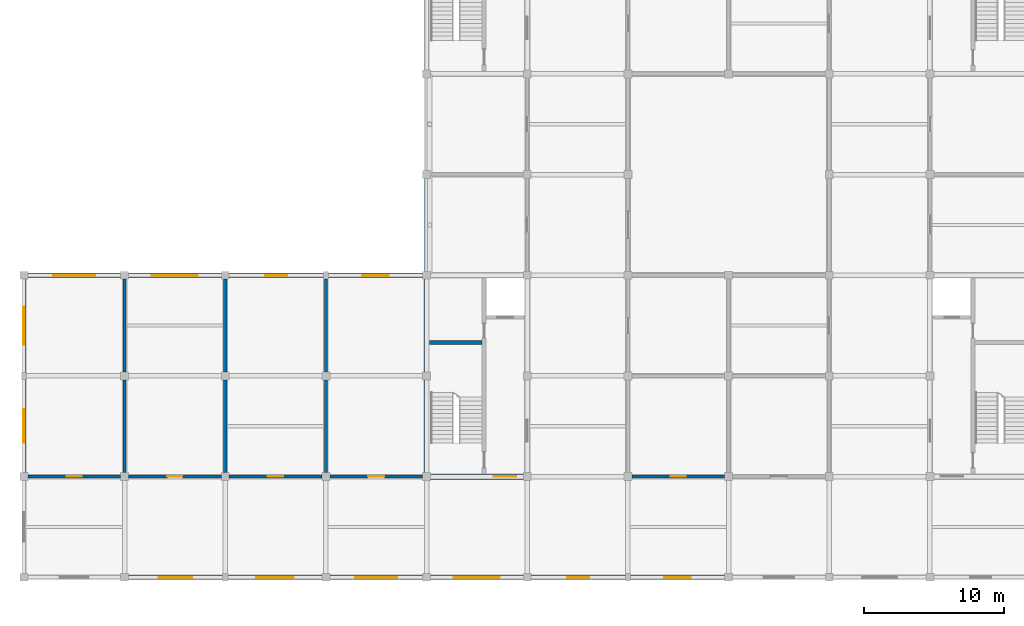
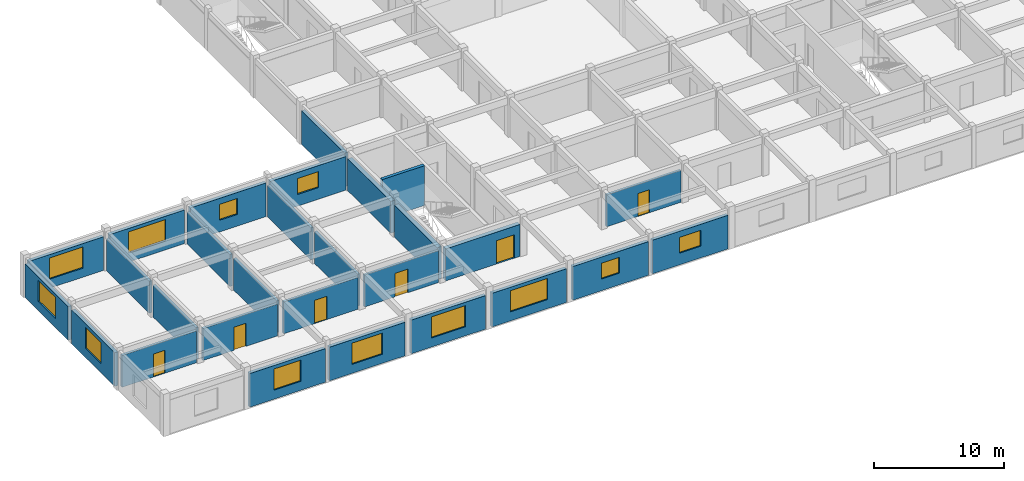
# One storey, part 5 of 10: 28 walls, 12 windows, 6 doors, 18 openings.
"""IFC4 building model written with IfcOpenShell, lengths in metres."""

from ifc_helpers import new_model, si_unit, direction, frame, frame_2d, origin, place, context, subcontext, project, spatial, rectangle, extrude, material, layer, layer_set, type_object, element, fill, save


model = new_model("IFC4")

# Units and contexts
model_context = context("Model", 3, precision=1e-05, world=origin(), true_north=direction((0.0, 1.0)))
body_context = subcontext(model_context, "Body", "Model", "MODEL_VIEW")
ifc_project = project(units=[si_unit("LENGTHUNIT", "METRE"), si_unit("AREAUNIT", "SQUARE_METRE"), si_unit("VOLUMEUNIT", "CUBIC_METRE"), si_unit("PLANEANGLEUNIT", "RADIAN"), si_unit("MASSUNIT", "GRAM", prefix="KILO")], contexts=[model_context])

# Site, building, storey
site_placement = place(None, origin())
site = spatial("IfcSite", under=ifc_project, at=site_placement, CompositionType="ELEMENT")
building_placement = place(site_placement, origin())
building = spatial("IfcBuilding", under=site, at=building_placement, Name="Cendaluz Park School", CompositionType="ELEMENT")
storey_placement = place(building_placement, frame((0.0, 0.0, 38.800048828125)))
storey = spatial("IfcBuildingStorey", under=building, at=storey_placement, Name="L09", CompositionType="ELEMENT", Elevation=38.800048828125)

# Wall, opening, door
ifc_material_1 = material(Name="Gypsum Plasterboard on Cold-Formed Stud", Category="gypsum")
ifc_layer_1 = layer(ifc_material_1, 0.199951171875)
ifc_layer_set_1 = layer_set([ifc_layer_1], Name="Gypsum Plasterboard on Cold-Formed Stud")
wall_type_1 = type_object("IfcWallType", Name="W-AC20", PredefinedType="PARTITIONING", material=ifc_layer_set_1)
wall_1_placement = place(storey_placement, frame((57.8798828125, 14.39990234375, 0.0), z_axis=(0.0, 0.0, 1.0), x_axis=(1.0, 0.0, 0.0)))
wall_1 = element("IfcWall", 1, at=wall_1_placement, inside=storey, type_object=wall_type_1, Name="WL-FJ-BN9", PredefinedType="PARTITIONING", context=body_context, shape_type="SweptSolid", body=[
    extrude(rectangle(XDim=6.64013671875, YDim=0.199951171875, at=frame_2d((3.320068359375, 0.0))), origin(), (0.0, 0.0, 1.0), 3.010009765625),
])
opening_1_placement = place(wall_1_placement, frame((2.739990234375, 0.0, 0.0)))
opening_1 = element("IfcOpeningElement", 2, at=opening_1_placement, cuts=wall_1, Name="Opening DCL-07", PredefinedType="OPENING", context=body_context, shape_type="SweptSolid", body=[
    extrude(rectangle(XDim=1.159912109375, YDim=2.219970703125, at=frame_2d((0.580078125, 1.10986328125))), frame((0.0, 0.112060546875, 0.0), z_axis=(0.0, -1.0, 0.0), x_axis=(1.0, 0.0, 0.0)), (0.0, 0.0, 1.0), 0.223876953125),
])
ifc_material_2 = material(Name="Solid Core Hardwood", Category="wood")
door_type_1 = type_object("IfcDoorType", Name="DCL-07", OperationType="NOTDEFINED", PredefinedType="DOOR", material=ifc_material_2)
door_1_placement = place(opening_1_placement, origin())
door_1 = element("IfcDoor", 3, at=door_1_placement, inside=storey, type_object=door_type_1, Name="D-L09-025", OperationType="SINGLE_SWING_LEFT", OverallHeight=2.219970703125, OverallWidth=1.159912109375, PredefinedType="DOOR", context=body_context, shape_type="SweptSolid", body=[
    extrude(rectangle(XDim=1.159912109375, YDim=2.219970703125, at=frame_2d((0.580078125, 1.10986328125))), frame((0.0, 0.02490234375, 0.0), z_axis=(0.0, -1.0, 0.0), x_axis=(1.0, 0.0, 0.0)), (0.0, 0.0, 1.0), 0.050048828125),
])
fill(opening_1, door_1)

wall_2_placement = place(storey_placement, frame((79.47998046875, 14.39990234375, 0.0), z_axis=(0.0, 0.0, 1.0), x_axis=(1.0, 0.0, 0.0)))
wall_2 = element("IfcWall", 4, at=wall_2_placement, inside=storey, type_object=wall_type_1, Name="WL-FJ-BP1", PredefinedType="PARTITIONING", context=body_context, shape_type="SweptSolid", body=[
    extrude(rectangle(XDim=6.64013671875, YDim=0.199951171875, at=frame_2d((3.320068359375, 0.0))), origin(), (0.0, 0.0, 1.0), 3.010009765625),
])
opening_2_placement = place(wall_2_placement, frame((2.7900390625, 0.0, 0.0)))
opening_2 = element("IfcOpeningElement", 5, at=opening_2_placement, cuts=wall_2, Name="Opening DCL-04", PredefinedType="OPENING", context=body_context, shape_type="SweptSolid", body=[
    extrude(rectangle(XDim=1.06005859375, YDim=2.159912109375, at=frame_2d((0.530029296875, 1.080078125))), frame((0.0, 0.112060546875, 0.0), z_axis=(0.0, -1.0, 0.0), x_axis=(1.0, 0.0, 0.0)), (0.0, 0.0, 1.0), 0.223876953125),
])
door_type_2 = type_object("IfcDoorType", Name="DCL-04", OperationType="NOTDEFINED", PredefinedType="DOOR", material=ifc_material_2)
door_2_placement = place(opening_2_placement, origin())
door_2 = element("IfcDoor", 6, at=door_2_placement, inside=storey, type_object=door_type_2, Name="D-L09-032", OperationType="SINGLE_SWING_RIGHT", OverallHeight=2.159912109375, OverallWidth=1.06005859375, PredefinedType="DOOR", context=body_context, shape_type="SweptSolid", body=[
    extrude(rectangle(XDim=1.06005859375, YDim=2.159912109375, at=frame_2d((0.530029296875, 1.080078125))), frame((0.0, 0.02490234375, 0.0), z_axis=(0.0, -1.0, 0.0), x_axis=(1.0, 0.0, 0.0)), (0.0, 0.0, 1.0), 0.050048828125),
])
fill(opening_2, door_2)

# Wall, opening, window
ifc_material_3 = material(Name="Cross-laminated timber CLT C24", Category="wood")
ifc_layer_2 = layer(ifc_material_3, 0.300048828125)
ifc_layer_set_2 = layer_set([ifc_layer_2], Name="Cross-laminated timber CLT C24")
wall_type_2 = type_object("IfcWallType", Name="W-EX30", PredefinedType="SOLIDWALL", material=ifc_layer_set_2)
wall_3_placement = place(storey_placement, frame((36.0, 14.679931640625, 0.0), z_axis=(0.0, 0.0, 1.0), x_axis=(0.0, 1.0, 0.0)))
wall_3 = element("IfcWall", 7, at=wall_3_placement, inside=storey, type_object=wall_type_2, Name="WL-FJ-AA2", PredefinedType="SOLIDWALL", context=body_context, shape_type="SweptSolid", body=[
    extrude(rectangle(XDim=6.66015625, YDim=0.300048828125, at=frame_2d((3.330078125, 0.0))), origin(), (0.0, 0.0, 1.0), 3.169921875),
])
opening_3_placement = place(wall_3_placement, frame((2.1298828125, 0.0, 0.85009765625)))
opening_3 = element("IfcOpeningElement", 8, at=opening_3_placement, cuts=wall_3, Name="Opening WN-12", PredefinedType="OPENING", context=body_context, shape_type="SweptSolid", body=[
    extrude(rectangle(XDim=2.39990234375, YDim=2.0, at=frame_2d((1.199951171875, 1.0))), frame((0.0, 0.162109375, 0.0), z_axis=(0.0, -1.0, 0.0), x_axis=(1.0, 0.0, 0.0)), (0.0, 0.0, 1.0), 0.323974609375),
])
ifc_material_4 = material(Name="Tempered Low-E Double Glazing", Category="glass")
window_type_1 = type_object("IfcWindowType", Name="WN-12", PartitioningType="SINGLE_PANEL", PredefinedType="WINDOW", material=ifc_material_4)
window_1_placement = place(opening_3_placement, origin())
window_1 = element("IfcWindow", 9, at=window_1_placement, inside=storey, type_object=window_type_1, Name="WN-L09-003", OverallHeight=2.0, OverallWidth=2.39990234375, PartitioningType="SINGLE_PANEL", PredefinedType="WINDOW", context=body_context, shape_type="SweptSolid", body=[
    extrude(rectangle(XDim=2.39990234375, YDim=2.0, at=frame_2d((1.199951171875, 1.0))), frame((0.0, 0.030029296875, 0.0), z_axis=(0.0, -1.0, 0.0), x_axis=(1.0, 0.0, 0.0)), (0.0, 0.0, 1.0), 0.06005859375),
])
fill(opening_3, window_1)

wall_4_placement = place(storey_placement, frame((36.280029296875, 28.800048828125, 0.0), z_axis=(0.0, 0.0, 1.0), x_axis=(1.0, 0.0, 0.0)))
wall_4 = element("IfcWall", 10, at=wall_4_placement, inside=storey, type_object=wall_type_2, Name="WL-FJ-AA3", PredefinedType="SOLIDWALL", context=body_context, shape_type="SweptSolid", body=[
    extrude(rectangle(XDim=6.639892578125, YDim=0.300048828125, at=frame_2d((3.31982421875, 0.0))), origin(), (0.0, 0.0, 1.0), 3.169921875),
])
opening_4_placement = place(wall_4_placement, frame((1.820068359375, 0.0, 0.85009765625)))
opening_4 = element("IfcOpeningElement", 11, at=opening_4_placement, cuts=wall_4, Name="Opening WN-14", PredefinedType="OPENING", context=body_context, shape_type="SweptSolid", body=[
    extrude(rectangle(XDim=3.0, YDim=2.0, at=frame_2d((1.5, 1.0))), frame((0.0, 0.162109375, 0.0), z_axis=(0.0, -1.0, 0.0), x_axis=(1.0, 0.0, 0.0)), (0.0, 0.0, 1.0), 0.323974609375),
])
window_type_2 = type_object("IfcWindowType", Name="WN-14", PartitioningType="SINGLE_PANEL", PredefinedType="WINDOW", material=ifc_material_4)
window_2_placement = place(opening_4_placement, origin())
window_2 = element("IfcWindow", 12, at=window_2_placement, inside=storey, type_object=window_type_2, Name="WN-L09-004", OverallHeight=2.0, OverallWidth=3.0, PartitioningType="SINGLE_PANEL", PredefinedType="WINDOW", context=body_context, shape_type="SweptSolid", body=[
    extrude(rectangle(XDim=3.0, YDim=2.0, at=frame_2d((1.5, 1.0))), frame((0.0, 0.030029296875, 0.0), z_axis=(0.0, -1.0, 0.0), x_axis=(1.0, 0.0, 0.0)), (0.0, 0.0, 1.0), 0.06005859375),
])
fill(opening_4, window_2)

wall_5_placement = place(storey_placement, frame((36.0, 21.860107421875, 0.0), z_axis=(0.0, 0.0, 1.0), x_axis=(0.0, 1.0, 0.0)))
wall_5 = element("IfcWall", 13, at=wall_5_placement, inside=storey, type_object=wall_type_2, Name="WL-FJ-AA4", PredefinedType="SOLIDWALL", context=body_context, shape_type="SweptSolid", body=[
    extrude(rectangle(XDim=6.659912109375, YDim=0.300048828125, at=frame_2d((3.330078125, 0.0))), origin(), (0.0, 0.0, 1.0), 3.169921875),
])
opening_5_placement = place(wall_5_placement, frame((1.97998046875, 0.0, 0.85009765625)))
opening_5 = element("IfcOpeningElement", 14, at=opening_5_placement, cuts=wall_5, Name="Opening WN-13", PredefinedType="OPENING", context=body_context, shape_type="SweptSolid", body=[
    extrude(rectangle(XDim=2.699951171875, YDim=2.0, at=frame_2d((1.35009765625, 1.0))), frame((0.0, 0.162109375, 0.0), z_axis=(0.0, -1.0, 0.0), x_axis=(1.0, 0.0, 0.0)), (0.0, 0.0, 1.0), 0.323974609375),
])
window_type_3 = type_object("IfcWindowType", Name="WN-13", PartitioningType="SINGLE_PANEL", PredefinedType="WINDOW", material=ifc_material_4)
window_3_placement = place(opening_5_placement, origin())
window_3 = element("IfcWindow", 15, at=window_3_placement, inside=storey, type_object=window_type_3, Name="WN-L09-005", OverallHeight=2.0, OverallWidth=2.699951171875, PartitioningType="SINGLE_PANEL", PredefinedType="WINDOW", context=body_context, shape_type="SweptSolid", body=[
    extrude(rectangle(XDim=2.699951171875, YDim=2.0, at=frame_2d((1.35009765625, 1.0))), frame((0.0, 0.030029296875, 0.0), z_axis=(0.0, -1.0, 0.0), x_axis=(1.0, 0.0, 0.0)), (0.0, 0.0, 1.0), 0.06005859375),
])
fill(opening_5, window_3)

wall_6_placement = place(storey_placement, frame((43.47998046875, 7.199951171875, 0.0), z_axis=(0.0, 0.0, 1.0), x_axis=(1.0, 0.0, 0.0)))
wall_6 = element("IfcWall", 16, at=wall_6_placement, inside=storey, type_object=wall_type_2, Name="WL-FJ-AA5", PredefinedType="SOLIDWALL", context=body_context, shape_type="SweptSolid", body=[
    extrude(rectangle(XDim=6.739990234375, YDim=0.300048828125, at=frame_2d((3.3701171875, 0.0))), origin(), (0.0, 0.0, 1.0), 3.169921875),
])
opening_6_placement = place(wall_6_placement, frame((2.169921875, 0.0, 0.85009765625)))
opening_6 = element("IfcOpeningElement", 17, at=opening_6_placement, cuts=wall_6, Name="Opening WN-12", PredefinedType="OPENING", context=body_context, shape_type="SweptSolid", body=[
    extrude(rectangle(XDim=2.39990234375, YDim=2.0, at=frame_2d((1.199951171875, 1.0))), frame((0.0, 0.162109375, 0.0), z_axis=(0.0, -1.0, 0.0), x_axis=(1.0, 0.0, 0.0)), (0.0, 0.0, 1.0), 0.323974609375),
])
window_4_placement = place(opening_6_placement, origin())
window_4 = element("IfcWindow", 18, at=window_4_placement, inside=storey, type_object=window_type_1, Name="WN-L09-006", OverallHeight=2.0, OverallWidth=2.39990234375, PartitioningType="SINGLE_PANEL", PredefinedType="WINDOW", context=body_context, shape_type="SweptSolid", body=[
    extrude(rectangle(XDim=2.39990234375, YDim=2.0, at=frame_2d((1.199951171875, 1.0))), frame((0.0, 0.030029296875, 0.0), z_axis=(0.0, -1.0, 0.0), x_axis=(1.0, 0.0, 0.0)), (0.0, 0.0, 1.0), 0.06005859375),
])
fill(opening_6, window_4)

wall_7_placement = place(storey_placement, frame((43.47998046875, 28.800048828125, 0.0), z_axis=(0.0, 0.0, 1.0), x_axis=(1.0, 0.0, 0.0)))
wall_7 = element("IfcWall", 19, at=wall_7_placement, inside=storey, type_object=wall_type_2, Name="WL-FJ-AA6", PredefinedType="SOLIDWALL", context=body_context, shape_type="SweptSolid", body=[
    extrude(rectangle(XDim=6.64013671875, YDim=0.300048828125, at=frame_2d((3.320068359375, 0.0))), origin(), (0.0, 0.0, 1.0), 3.169921875),
])
opening_7_placement = place(wall_7_placement, frame((1.669921875, 0.0, 0.85009765625)))
opening_7 = element("IfcOpeningElement", 20, at=opening_7_placement, cuts=wall_7, Name="Opening WN-15", PredefinedType="OPENING", context=body_context, shape_type="SweptSolid", body=[
    extrude(rectangle(XDim=3.300048828125, YDim=2.0, at=frame_2d((1.64990234375, 1.0))), frame((0.0, 0.162109375, 0.0), z_axis=(0.0, -1.0, 0.0), x_axis=(1.0, 0.0, 0.0)), (0.0, 0.0, 1.0), 0.323974609375),
])
window_type_4 = type_object("IfcWindowType", Name="WN-15", PartitioningType="SINGLE_PANEL", PredefinedType="WINDOW", material=ifc_material_4)
window_5_placement = place(opening_7_placement, origin())
window_5 = element("IfcWindow", 21, at=window_5_placement, inside=storey, type_object=window_type_4, Name="WN-L09-007", OverallHeight=2.0, OverallWidth=3.300048828125, PartitioningType="SINGLE_PANEL", PredefinedType="WINDOW", context=body_context, shape_type="SweptSolid", body=[
    extrude(rectangle(XDim=3.300048828125, YDim=2.0, at=frame_2d((1.64990234375, 1.0))), frame((0.0, 0.030029296875, 0.0), z_axis=(0.0, -1.0, 0.0), x_axis=(1.0, 0.0, 0.0)), (0.0, 0.0, 1.0), 0.06005859375),
])
fill(opening_7, window_5)

wall_8_placement = place(storey_placement, frame((50.580078125, 7.199951171875, 0.0), z_axis=(0.0, 0.0, 1.0), x_axis=(1.0, 0.0, 0.0)))
wall_8 = element("IfcWall", 22, at=wall_8_placement, inside=storey, type_object=wall_type_2, Name="WL-FJ-AA7", PredefinedType="SOLIDWALL", context=body_context, shape_type="SweptSolid", body=[
    extrude(rectangle(XDim=6.739990234375, YDim=0.300048828125, at=frame_2d((3.3701171875, 0.0))), origin(), (0.0, 0.0, 1.0), 3.169921875),
])
opening_8_placement = place(wall_8_placement, frame((2.02001953125, 0.0, 0.85009765625)))
opening_8 = element("IfcOpeningElement", 23, at=opening_8_placement, cuts=wall_8, Name="Opening WN-13", PredefinedType="OPENING", context=body_context, shape_type="SweptSolid", body=[
    extrude(rectangle(XDim=2.699951171875, YDim=2.0, at=frame_2d((1.35009765625, 1.0))), frame((0.0, 0.162109375, 0.0), z_axis=(0.0, -1.0, 0.0), x_axis=(1.0, 0.0, 0.0)), (0.0, 0.0, 1.0), 0.323974609375),
])
window_6_placement = place(opening_8_placement, origin())
window_6 = element("IfcWindow", 24, at=window_6_placement, inside=storey, type_object=window_type_3, Name="WN-L09-008", OverallHeight=2.0, OverallWidth=2.699951171875, PartitioningType="SINGLE_PANEL", PredefinedType="WINDOW", context=body_context, shape_type="SweptSolid", body=[
    extrude(rectangle(XDim=2.699951171875, YDim=2.0, at=frame_2d((1.35009765625, 1.0))), frame((0.0, 0.030029296875, 0.0), z_axis=(0.0, -1.0, 0.0), x_axis=(1.0, 0.0, 0.0)), (0.0, 0.0, 1.0), 0.06005859375),
])
fill(opening_8, window_6)

wall_9_placement = place(storey_placement, frame((50.679931640625, 28.800048828125, 0.0), z_axis=(0.0, 0.0, 1.0), x_axis=(1.0, 0.0, 0.0)))
wall_9 = element("IfcWall", 25, at=wall_9_placement, inside=storey, type_object=wall_type_2, Name="WL-FJ-AA8", PredefinedType="SOLIDWALL", context=body_context, shape_type="SweptSolid", body=[
    extrude(rectangle(XDim=6.739990234375, YDim=0.300048828125, at=frame_2d((3.3701171875, 0.0))), origin(), (0.0, 0.0, 1.0), 3.169921875),
])
opening_9_placement = place(wall_9_placement, frame((2.570068359375, 0.0, 1.10009765625)))
opening_9 = element("IfcOpeningElement", 26, at=opening_9_placement, cuts=wall_9, Name="Opening WN-16", PredefinedType="OPENING", context=body_context, shape_type="SweptSolid", body=[
    extrude(rectangle(XDim=1.60009765625, YDim=1.5, at=frame_2d((0.800048828125, 0.75))), frame((0.0, 0.162109375, 0.0), z_axis=(0.0, -1.0, 0.0), x_axis=(1.0, 0.0, 0.0)), (0.0, 0.0, 1.0), 0.323974609375),
])
window_type_5 = type_object("IfcWindowType", Name="WN-16", PartitioningType="SINGLE_PANEL", PredefinedType="WINDOW", material=ifc_material_4)
window_7_placement = place(opening_9_placement, origin())
window_7 = element("IfcWindow", 27, at=window_7_placement, inside=storey, type_object=window_type_5, Name="WN-L09-009", OverallHeight=1.5, OverallWidth=1.60009765625, PartitioningType="SINGLE_PANEL", PredefinedType="WINDOW", context=body_context, shape_type="SweptSolid", body=[
    extrude(rectangle(XDim=1.60009765625, YDim=1.5, at=frame_2d((0.800048828125, 0.75))), frame((0.0, 0.030029296875, 0.0), z_axis=(0.0, -1.0, 0.0), x_axis=(1.0, 0.0, 0.0)), (0.0, 0.0, 1.0), 0.06005859375),
])
fill(opening_9, window_7)

wall_10_placement = place(storey_placement, frame((57.8798828125, 7.199951171875, 0.0), z_axis=(0.0, 0.0, 1.0), x_axis=(1.0, 0.0, 0.0)))
wall_10 = element("IfcWall", 28, at=wall_10_placement, inside=storey, type_object=wall_type_2, Name="WL-FJ-AA9", PredefinedType="SOLIDWALL", context=body_context, shape_type="SweptSolid", body=[
    extrude(rectangle(XDim=6.64013671875, YDim=0.300048828125, at=frame_2d((3.320068359375, 0.0))), origin(), (0.0, 0.0, 1.0), 3.169921875),
])
opening_10_placement = place(wall_10_placement, frame((1.820068359375, 0.0, 0.85009765625)))
opening_10 = element("IfcOpeningElement", 29, at=opening_10_placement, cuts=wall_10, Name="Opening WN-14", PredefinedType="OPENING", context=body_context, shape_type="SweptSolid", body=[
    extrude(rectangle(XDim=3.0, YDim=2.0, at=frame_2d((1.5, 1.0))), frame((0.0, 0.162109375, 0.0), z_axis=(0.0, -1.0, 0.0), x_axis=(1.0, 0.0, 0.0)), (0.0, 0.0, 1.0), 0.323974609375),
])
window_8_placement = place(opening_10_placement, origin())
window_8 = element("IfcWindow", 30, at=window_8_placement, inside=storey, type_object=window_type_2, Name="WN-L09-010", OverallHeight=2.0, OverallWidth=3.0, PartitioningType="SINGLE_PANEL", PredefinedType="WINDOW", context=body_context, shape_type="SweptSolid", body=[
    extrude(rectangle(XDim=3.0, YDim=2.0, at=frame_2d((1.5, 1.0))), frame((0.0, 0.030029296875, 0.0), z_axis=(0.0, -1.0, 0.0), x_axis=(1.0, 0.0, 0.0)), (0.0, 0.0, 1.0), 0.06005859375),
])
fill(opening_10, window_8)

wall_11_placement = place(storey_placement, frame((57.780029296875, 28.800048828125, 0.0), z_axis=(0.0, 0.0, 1.0), x_axis=(1.0, 0.0, 0.0)))
wall_11 = element("IfcWall", 31, at=wall_11_placement, inside=storey, type_object=wall_type_2, Name="WL-FJ-AB0", PredefinedType="SOLIDWALL", context=body_context, shape_type="SweptSolid", body=[
    extrude(rectangle(XDim=6.739990234375, YDim=0.300048828125, at=frame_2d((3.3701171875, 0.0))), origin(), (0.0, 0.0, 1.0), 3.169921875),
])
opening_11_placement = place(wall_11_placement, frame((2.419921875, 0.0, 1.10009765625)))
opening_11 = element("IfcOpeningElement", 32, at=opening_11_placement, cuts=wall_11, Name="Opening WN-17", PredefinedType="OPENING", context=body_context, shape_type="SweptSolid", body=[
    extrude(rectangle(XDim=1.89990234375, YDim=1.5, at=frame_2d((0.949951171875, 0.75))), frame((0.0, 0.162109375, 0.0), z_axis=(0.0, -1.0, 0.0), x_axis=(1.0, 0.0, 0.0)), (0.0, 0.0, 1.0), 0.323974609375),
])
window_type_6 = type_object("IfcWindowType", Name="WN-17", PartitioningType="SINGLE_PANEL", PredefinedType="WINDOW", material=ifc_material_4)
window_9_placement = place(opening_11_placement, origin())
window_9 = element("IfcWindow", 33, at=window_9_placement, inside=storey, type_object=window_type_6, Name="WN-L09-011", OverallHeight=1.5, OverallWidth=1.89990234375, PartitioningType="SINGLE_PANEL", PredefinedType="WINDOW", context=body_context, shape_type="SweptSolid", body=[
    extrude(rectangle(XDim=1.89990234375, YDim=1.5, at=frame_2d((0.949951171875, 0.75))), frame((0.0, 0.030029296875, 0.0), z_axis=(0.0, -1.0, 0.0), x_axis=(1.0, 0.0, 0.0)), (0.0, 0.0, 1.0), 0.06005859375),
])
fill(opening_11, window_9)

wall_12_placement = place(storey_placement, frame((65.080078125, 7.199951171875, 0.0), z_axis=(0.0, 0.0, 1.0), x_axis=(1.0, 0.0, 0.0)))
wall_12 = element("IfcWall", 34, at=wall_12_placement, inside=storey, type_object=wall_type_2, Name="WL-FJ-AB1", PredefinedType="SOLIDWALL", context=body_context, shape_type="SweptSolid", body=[
    extrude(rectangle(XDim=6.639892578125, YDim=0.300048828125, at=frame_2d((3.31982421875, 0.0))), origin(), (0.0, 0.0, 1.0), 3.169921875),
])
opening_12_placement = place(wall_12_placement, frame((1.669921875, 0.0, 0.85009765625)))
opening_12 = element("IfcOpeningElement", 35, at=opening_12_placement, cuts=wall_12, Name="Opening WN-15", PredefinedType="OPENING", context=body_context, shape_type="SweptSolid", body=[
    extrude(rectangle(XDim=3.300048828125, YDim=2.0, at=frame_2d((1.64990234375, 1.0))), frame((0.0, 0.162109375, 0.0), z_axis=(0.0, -1.0, 0.0), x_axis=(1.0, 0.0, 0.0)), (0.0, 0.0, 1.0), 0.323974609375),
])
window_10_placement = place(opening_12_placement, origin())
window_10 = element("IfcWindow", 36, at=window_10_placement, inside=storey, type_object=window_type_4, Name="WN-L09-012", OverallHeight=2.0, OverallWidth=3.300048828125, PartitioningType="SINGLE_PANEL", PredefinedType="WINDOW", context=body_context, shape_type="SweptSolid", body=[
    extrude(rectangle(XDim=3.300048828125, YDim=2.0, at=frame_2d((1.64990234375, 1.0))), frame((0.0, 0.030029296875, 0.0), z_axis=(0.0, -1.0, 0.0), x_axis=(1.0, 0.0, 0.0)), (0.0, 0.0, 1.0), 0.06005859375),
])
fill(opening_12, window_10)

# Wall
wall_13_placement = place(storey_placement, frame((64.800048828125, 29.080078125, 0.0), z_axis=(0.0, 0.0, 1.0), x_axis=(0.0, 1.0, 0.0)))
element("IfcWall", 37, at=wall_13_placement, inside=storey, type_object=wall_type_2, Name="WL-FJ-AB2", PredefinedType="SOLIDWALL", context=body_context, shape_type="SweptSolid", body=[
    extrude(rectangle(XDim=6.639892578125, YDim=0.300048828125, at=frame_2d((3.31982421875, 0.0))), origin(), (0.0, 0.0, 1.0), 3.169921875),
])

# Wall, opening, window
wall_14_placement = place(storey_placement, frame((72.280029296875, 7.199951171875, 0.0), z_axis=(0.0, 0.0, 1.0), x_axis=(1.0, 0.0, 0.0)))
wall_14 = element("IfcWall", 38, at=wall_14_placement, inside=storey, type_object=wall_type_2, Name="WL-FJ-AB6", PredefinedType="SOLIDWALL", context=body_context, shape_type="SweptSolid", body=[
    extrude(rectangle(XDim=6.739990234375, YDim=0.300048828125, at=frame_2d((3.3701171875, 0.0))), origin(), (0.0, 0.0, 1.0), 3.169921875),
])
opening_13_placement = place(wall_14_placement, frame((2.570068359375, 0.0, 1.10009765625)))
opening_13 = element("IfcOpeningElement", 39, at=opening_13_placement, cuts=wall_14, Name="Opening WN-16", PredefinedType="OPENING", context=body_context, shape_type="SweptSolid", body=[
    extrude(rectangle(XDim=1.60009765625, YDim=1.5, at=frame_2d((0.800048828125, 0.75))), frame((0.0, 0.162109375, 0.0), z_axis=(0.0, -1.0, 0.0), x_axis=(1.0, 0.0, 0.0)), (0.0, 0.0, 1.0), 0.323974609375),
])
window_11_placement = place(opening_13_placement, origin())
window_11 = element("IfcWindow", 40, at=window_11_placement, inside=storey, type_object=window_type_5, Name="WN-L09-015", OverallHeight=1.5, OverallWidth=1.60009765625, PartitioningType="SINGLE_PANEL", PredefinedType="WINDOW", context=body_context, shape_type="SweptSolid", body=[
    extrude(rectangle(XDim=1.60009765625, YDim=1.5, at=frame_2d((0.800048828125, 0.75))), frame((0.0, 0.030029296875, 0.0), z_axis=(0.0, -1.0, 0.0), x_axis=(1.0, 0.0, 0.0)), (0.0, 0.0, 1.0), 0.06005859375),
])
fill(opening_13, window_11)

wall_15_placement = place(storey_placement, frame((79.3798828125, 7.199951171875, 0.0), z_axis=(0.0, 0.0, 1.0), x_axis=(1.0, 0.0, 0.0)))
wall_15 = element("IfcWall", 41, at=wall_15_placement, inside=storey, type_object=wall_type_2, Name="WL-FJ-AB8", PredefinedType="SOLIDWALL", context=body_context, shape_type="SweptSolid", body=[
    extrude(rectangle(XDim=6.740234375, YDim=0.300048828125, at=frame_2d((3.3701171875, 0.0))), origin(), (0.0, 0.0, 1.0), 3.169921875),
])
opening_14_placement = place(wall_15_placement, frame((2.419921875, 0.0, 1.10009765625)))
opening_14 = element("IfcOpeningElement", 42, at=opening_14_placement, cuts=wall_15, Name="Opening WN-17", PredefinedType="OPENING", context=body_context, shape_type="SweptSolid", body=[
    extrude(rectangle(XDim=1.89990234375, YDim=1.5, at=frame_2d((0.949951171875, 0.75))), frame((0.0, 0.162109375, 0.0), z_axis=(0.0, -1.0, 0.0), x_axis=(1.0, 0.0, 0.0)), (0.0, 0.0, 1.0), 0.323974609375),
])
window_12_placement = place(opening_14_placement, origin())
window_12 = element("IfcWindow", 43, at=window_12_placement, inside=storey, type_object=window_type_6, Name="WN-L09-017", OverallHeight=1.5, OverallWidth=1.89990234375, PartitioningType="SINGLE_PANEL", PredefinedType="WINDOW", context=body_context, shape_type="SweptSolid", body=[
    extrude(rectangle(XDim=1.89990234375, YDim=1.5, at=frame_2d((0.949951171875, 0.75))), frame((0.0, 0.030029296875, 0.0), z_axis=(0.0, -1.0, 0.0), x_axis=(1.0, 0.0, 0.0)), (0.0, 0.0, 1.0), 0.06005859375),
])
fill(opening_14, window_12)

# Wall
ifc_material_5 = material(Name="Concrete C40/50", Category="concrete")
ifc_layer_3 = layer(ifc_material_5, 0.280029296875)
ifc_layer_set_3 = layer_set([ifc_layer_3], Name="Concrete C40/50")
wall_type_3 = type_object("IfcWallType", Name="W-FW28", PredefinedType="SHEAR", material=ifc_layer_set_3)
wall_16_placement = place(storey_placement, frame((65.0, 23.97998046875, 0.0), z_axis=(0.0, 0.0, 1.0), x_axis=(1.0, 0.0, 0.0)))
element("IfcWall", 44, at=wall_16_placement, inside=storey, type_object=wall_type_3, Name="WL-FJ-BI5", PredefinedType="SHEAR", context=body_context, shape_type="SweptSolid", body=[
    extrude(rectangle(XDim=3.780029296875, YDim=0.280029296875, at=frame_2d((1.89013671875, 0.0))), origin(), (0.0, 0.0, 1.0), 3.739990234375),
])

# Wall, opening, door
ifc_layer_4 = layer(ifc_material_1, 0.219970703125)
ifc_layer_set_4 = layer_set([ifc_layer_4], Name="Gypsum Plasterboard on Cold-Formed Stud")
wall_type_4 = type_object("IfcWallType", Name="W-LB22", PredefinedType="PARTITIONING", material=ifc_layer_set_4)
wall_17_placement = place(storey_placement, frame((36.280029296875, 14.39990234375, 0.0), z_axis=(0.0, 0.0, 1.0), x_axis=(1.0, 0.0, 0.0)))
wall_17 = element("IfcWall", 45, at=wall_17_placement, inside=storey, type_object=wall_type_4, Name="WL-FJ-BN0", PredefinedType="PARTITIONING", context=body_context, shape_type="SweptSolid", body=[
    extrude(rectangle(XDim=6.639892578125, YDim=0.219970703125, at=frame_2d((3.31982421875, 0.0))), origin(), (0.0, 0.0, 1.0), 3.010009765625),
])
opening_15_placement = place(wall_17_placement, frame((2.7900390625, 0.0, 0.0)))
opening_15 = element("IfcOpeningElement", 46, at=opening_15_placement, cuts=wall_17, Name="Opening DCL-04", PredefinedType="OPENING", context=body_context, shape_type="SweptSolid", body=[
    extrude(rectangle(XDim=1.06005859375, YDim=2.159912109375, at=frame_2d((0.530029296875, 1.080078125))), frame((0.0, 0.1220703125, 0.0), z_axis=(0.0, -1.0, 0.0), x_axis=(1.0, 0.0, 0.0)), (0.0, 0.0, 1.0), 0.243896484375),
])
door_3_placement = place(opening_15_placement, frame((1.06005859375, 0.0, 0.0), z_axis=(0.0, 0.0, 1.0), x_axis=(-1.0, 0.0, 0.0)))
door_3 = element("IfcDoor", 47, at=door_3_placement, inside=storey, type_object=door_type_2, Name="D-L09-022", OperationType="SINGLE_SWING_RIGHT", OverallHeight=2.159912109375, OverallWidth=1.06005859375, PredefinedType="DOOR", context=body_context, shape_type="SweptSolid", body=[
    extrude(rectangle(XDim=1.06005859375, YDim=2.159912109375, at=frame_2d((0.530029296875, 1.080078125))), frame((0.0, 0.02490234375, 0.0), z_axis=(0.0, -1.0, 0.0), x_axis=(1.0, 0.0, 0.0)), (0.0, 0.0, 1.0), 0.050048828125),
])
fill(opening_15, door_3)

# Walls
for number, where, z_axis, x_axis, name in (
    (48, (43.199951171875, 14.679931640625, 0.0), (0.0, 0.0, 1.0), (0.0, 1.0, 0.0), "WL-FJ-BN1"),
    (49, (43.199951171875, 21.8798828125, 0.0), (0.0, 0.0, 1.0), (0.0, 1.0, 0.0), "WL-FJ-BN2"),
):
    element("IfcWall", number, at=place(storey_placement, frame(where, z_axis=z_axis, x_axis=x_axis)), inside=storey, type_object=wall_type_4, Name=name, PredefinedType="PARTITIONING", context=body_context, shape_type="SweptSolid", body=[
        extrude(rectangle(XDim=6.64013671875, YDim=0.219970703125, at=frame_2d((3.320068359375, 0.0))), origin(), (0.0, 0.0, 1.0), 3.010009765625),
    ])

# Wall, opening, door
wall_18_placement = place(storey_placement, frame((43.47998046875, 14.39990234375, 0.0), z_axis=(0.0, 0.0, 1.0), x_axis=(1.0, 0.0, 0.0)))
wall_18 = element("IfcWall", 50, at=wall_18_placement, inside=storey, type_object=wall_type_4, Name="WL-FJ-BN3", PredefinedType="PARTITIONING", context=body_context, shape_type="SweptSolid", body=[
    extrude(rectangle(XDim=6.64013671875, YDim=0.219970703125, at=frame_2d((3.320068359375, 0.0))), origin(), (0.0, 0.0, 1.0), 3.010009765625),
])
opening_16_placement = place(wall_18_placement, frame((2.780029296875, 0.0, 0.0)))
opening_16 = element("IfcOpeningElement", 51, at=opening_16_placement, cuts=wall_18, Name="Opening DCL-05", PredefinedType="OPENING", context=body_context, shape_type="SweptSolid", body=[
    extrude(rectangle(XDim=1.080078125, YDim=2.179931640625, at=frame_2d((0.5400390625, 1.08984375))), frame((0.0, 0.1220703125, 0.0), z_axis=(0.0, -1.0, 0.0), x_axis=(1.0, 0.0, 0.0)), (0.0, 0.0, 1.0), 0.243896484375),
])
door_type_3 = type_object("IfcDoorType", Name="DCL-05", OperationType="NOTDEFINED", PredefinedType="DOOR", material=ifc_material_2)
door_4_placement = place(opening_16_placement, frame((1.080078125, 0.0, 0.0), z_axis=(0.0, 0.0, 1.0), x_axis=(-1.0, 0.0, 0.0)))
door_4 = element("IfcDoor", 52, at=door_4_placement, inside=storey, type_object=door_type_3, Name="D-L09-023", OperationType="SINGLE_SWING_LEFT", OverallHeight=2.179931640625, OverallWidth=1.080078125, PredefinedType="DOOR", context=body_context, shape_type="SweptSolid", body=[
    extrude(rectangle(XDim=1.080078125, YDim=2.179931640625, at=frame_2d((0.5400390625, 1.08984375))), frame((0.0, 0.02490234375, 0.0), z_axis=(0.0, -1.0, 0.0), x_axis=(1.0, 0.0, 0.0)), (0.0, 0.0, 1.0), 0.050048828125),
])
fill(opening_16, door_4)

# Walls
for number, where, z_axis, x_axis, name in (
    (53, (50.39990234375, 14.679931640625, 0.0), (0.0, 0.0, 1.0), (0.0, 1.0, 0.0), "WL-FJ-BN4"),
    (54, (50.39990234375, 21.8798828125, 0.0), (0.0, 0.0, 1.0), (0.0, 1.0, 0.0), "WL-FJ-BN5"),
):
    element("IfcWall", number, at=place(storey_placement, frame(where, z_axis=z_axis, x_axis=x_axis)), inside=storey, type_object=wall_type_4, Name=name, PredefinedType="PARTITIONING", context=body_context, shape_type="SweptSolid", body=[
        extrude(rectangle(XDim=6.64013671875, YDim=0.219970703125, at=frame_2d((3.320068359375, 0.0))), origin(), (0.0, 0.0, 1.0), 3.010009765625),
    ])

# Wall, opening, door
wall_19_placement = place(storey_placement, frame((50.679931640625, 14.39990234375, 0.0), z_axis=(0.0, 0.0, 1.0), x_axis=(1.0, 0.0, 0.0)))
wall_19 = element("IfcWall", 55, at=wall_19_placement, inside=storey, type_object=wall_type_4, Name="WL-FJ-BN6", PredefinedType="PARTITIONING", context=body_context, shape_type="SweptSolid", body=[
    extrude(rectangle(XDim=6.64013671875, YDim=0.219970703125, at=frame_2d((3.320068359375, 0.0))), origin(), (0.0, 0.0, 1.0), 3.010009765625),
])
opening_17_placement = place(wall_19_placement, frame((2.760009765625, 0.0, 0.0)))
opening_17 = element("IfcOpeningElement", 56, at=opening_17_placement, cuts=wall_19, Name="Opening DCL-06", PredefinedType="OPENING", context=body_context, shape_type="SweptSolid", body=[
    extrude(rectangle(XDim=1.1201171875, YDim=2.199951171875, at=frame_2d((0.56005859375, 1.10009765625))), frame((0.0, 0.1220703125, 0.0), z_axis=(0.0, -1.0, 0.0), x_axis=(1.0, 0.0, 0.0)), (0.0, 0.0, 1.0), 0.243896484375),
])
door_type_4 = type_object("IfcDoorType", Name="DCL-06", OperationType="NOTDEFINED", PredefinedType="DOOR", material=ifc_material_2)
door_5_placement = place(opening_17_placement, frame((1.1201171875, 0.0, 0.0), z_axis=(0.0, 0.0, 1.0), x_axis=(-1.0, 0.0, 0.0)))
door_5 = element("IfcDoor", 57, at=door_5_placement, inside=storey, type_object=door_type_4, Name="D-L09-024", OperationType="SINGLE_SWING_RIGHT", OverallHeight=2.199951171875, OverallWidth=1.1201171875, PredefinedType="DOOR", context=body_context, shape_type="SweptSolid", body=[
    extrude(rectangle(XDim=1.1201171875, YDim=2.199951171875, at=frame_2d((0.56005859375, 1.10009765625))), frame((0.0, 0.02490234375, 0.0), z_axis=(0.0, -1.0, 0.0), x_axis=(1.0, 0.0, 0.0)), (0.0, 0.0, 1.0), 0.050048828125),
])
fill(opening_17, door_5)

# Walls
wall_20_placement = place(storey_placement, frame((57.60009765625, 14.679931640625, 0.0), z_axis=(0.0, 0.0, 1.0), x_axis=(0.0, 1.0, 0.0)))
element("IfcWall", 58, at=wall_20_placement, inside=storey, type_object=wall_type_4, Name="WL-FJ-BN7", PredefinedType="PARTITIONING", context=body_context, shape_type="SweptSolid", body=[
    extrude(rectangle(XDim=6.64013671875, YDim=0.219970703125, at=frame_2d((3.320068359375, 0.0))), origin(), (0.0, 0.0, 1.0), 3.010009765625),
])
wall_21_placement = place(storey_placement, frame((57.60009765625, 21.8798828125, 0.0), z_axis=(0.0, 0.0, 1.0), x_axis=(0.0, 1.0, 0.0)))
element("IfcWall", 59, at=wall_21_placement, inside=storey, type_object=wall_type_4, Name="WL-FJ-BN8", PredefinedType="PARTITIONING", context=body_context, shape_type="SweptSolid", body=[
    extrude(rectangle(XDim=6.66015625, YDim=0.219970703125, at=frame_2d((3.330078125, 0.0))), origin(), (0.0, 0.0, 1.0), 3.010009765625),
])
ifc_layer_5 = layer(ifc_material_5, 0.3798828125)
ifc_layer_set_5 = layer_set([ifc_layer_5], Name="Concrete C40/50")
wall_type_5 = type_object("IfcWallType", Name="W-SH38", PredefinedType="SHEAR", material=ifc_layer_set_5)
for number, where, z_axis, x_axis, name in (
    (60, (64.800048828125, 14.679931640625, 0.0), (0.0, 0.0, 1.0), (0.0, 1.0, 0.0), "WL-FJ-BH8"),
    (61, (64.800048828125, 21.8798828125, 0.0), (0.0, 0.0, 1.0), (0.0, 1.0, 0.0), "WL-FJ-BH9"),
):
    element("IfcWall", number, at=place(storey_placement, frame(where, z_axis=z_axis, x_axis=x_axis)), inside=storey, type_object=wall_type_5, Name=name, PredefinedType="SHEAR", context=body_context, shape_type="SweptSolid", body=[
        extrude(rectangle(XDim=6.64013671875, YDim=0.3798828125, at=frame_2d((3.320068359375, 0.0))), origin(), (0.0, 0.0, 1.0), 3.010009765625),
    ])

# Wall, opening, door
wall_22_placement = place(storey_placement, frame((65.080078125, 14.39990234375, 0.0), z_axis=(0.0, 0.0, 1.0), x_axis=(1.0, 0.0, 0.0)))
wall_22 = element("IfcWall", 62, at=wall_22_placement, inside=storey, type_object=wall_type_5, Name="WL-FJ-BI2", PredefinedType="SHEAR", context=body_context, shape_type="SweptSolid", body=[
    extrude(rectangle(XDim=6.639892578125, YDim=0.3798828125, at=frame_2d((3.31982421875, 0.0))), origin(), (0.0, 0.0, 1.0), 3.010009765625),
])
opening_18_placement = place(wall_22_placement, frame((4.5400390625, 0.0, 0.0)))
opening_18 = element("IfcOpeningElement", 63, at=opening_18_placement, cuts=wall_22, Name="Opening DLB-01", PredefinedType="OPENING", context=body_context, shape_type="SweptSolid", body=[
    extrude(rectangle(XDim=1.60009765625, YDim=2.199951171875, at=frame_2d((0.800048828125, 1.10009765625))), frame((0.0, 0.201904296875, 0.0), z_axis=(0.0, -1.0, 0.0), x_axis=(1.0, 0.0, 0.0)), (0.0, 0.0, 1.0), 0.40380859375),
])
door_type_5 = type_object("IfcDoorType", Name="DLB-01", OperationType="DOUBLE_DOOR_SINGLE_SWING", PredefinedType="DOOR", material=ifc_material_2)
door_6_placement = place(opening_18_placement, origin())
door_6 = element("IfcDoor", 64, at=door_6_placement, inside=storey, type_object=door_type_5, Name="D-L09-002", OperationType="DOUBLE_DOOR_SINGLE_SWING", OverallHeight=2.199951171875, OverallWidth=1.60009765625, PredefinedType="DOOR", context=body_context, shape_type="SweptSolid", body=[
    extrude(rectangle(XDim=1.60009765625, YDim=2.199951171875, at=frame_2d((0.800048828125, 1.10009765625))), frame((0.0, 0.02490234375, 0.0), z_axis=(0.0, -1.0, 0.0), x_axis=(1.0, 0.0, 0.0)), (0.0, 0.0, 1.0), 0.050048828125),
])
fill(opening_18, door_6)

save(model, "model.ifc")
